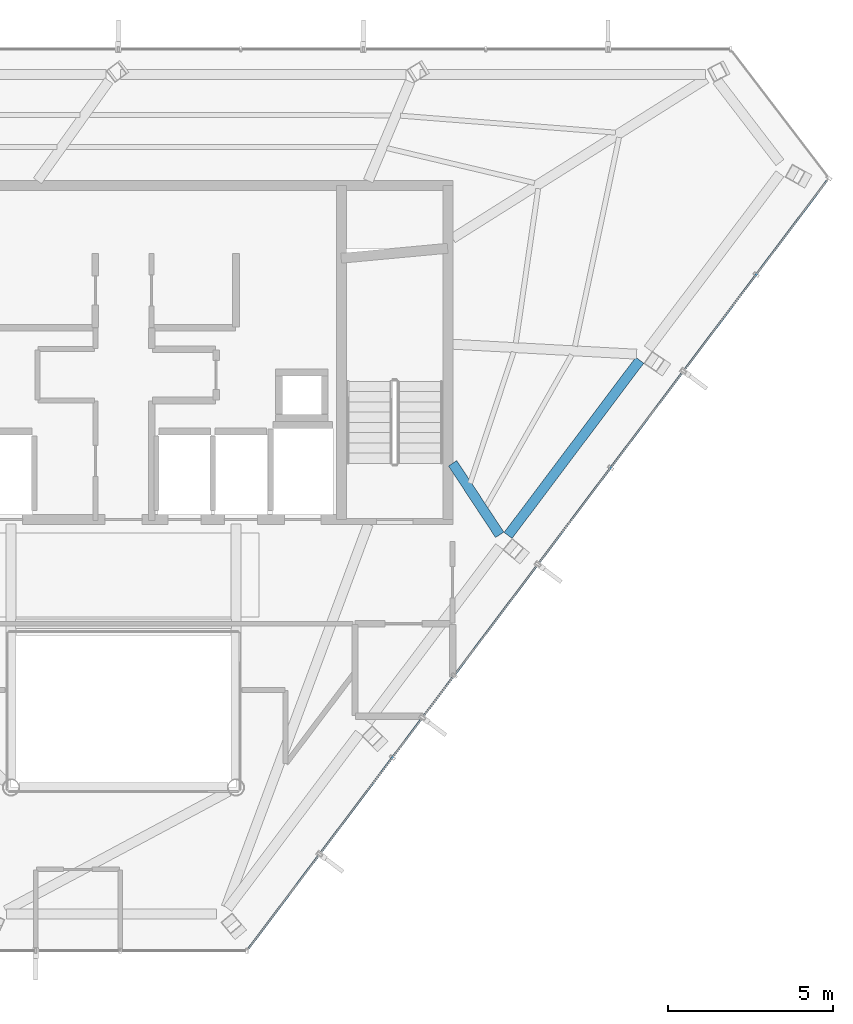
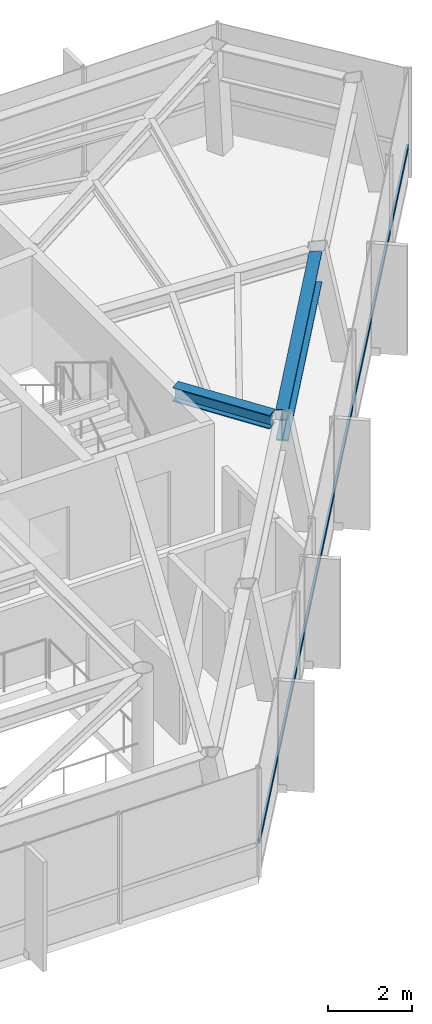
# One storey, part 16 of 22: 2 beams, 1 member, 1 element without a shape of its own.
"""IFC4 building model written with IfcOpenShell, lengths in metres."""

import ifcopenshell
import ifcopenshell.guid

model = None  # the IFC model being written
_history = None  # IfcOwnerHistory: only IFC2X3 demands one
_inside = {}  # id of a spatial element -> (the spatial element, [elements in it])
_under = {}  # id of a project, library or spatial element -> (it, [spatial elements below it])
_declared = {}  # id of a project -> (the project, [libraries it declares])
_typed = {}  # id of a type object -> (the type object, [elements of that type])
_made_of = {}  # id of a material, layer set ... -> (it, [elements and type objects made of it])


def new_model(schema):
    """Start an empty IFC model of exactly this schema.

    Asked for "IFC4X3", IfcOpenShell would pick the latest addendum, in which some entities
    have other attributes; the version numbers below select the first issue.
    IFC2X3 requires an IfcOwnerHistory on every rooted entity: one is made here for all.
    """
    global model, _history
    if schema == "IFC4X3":
        model = ifcopenshell.file(schema_version=(4, 3, 0, 0))
    else:
        model = ifcopenshell.file(schema=schema)
    _inside.clear()
    _under.clear()
    _declared.clear()
    _typed.clear()
    _made_of.clear()
    _history = None
    if model.schema == "IFC2X3":
        org = make("IfcOrganization", Name="unknown")
        user = make(
            "IfcPersonAndOrganization",
            ThePerson=make("IfcPerson", FamilyName="unknown"),
            TheOrganization=org,
        )
        app = make(
            "IfcApplication",
            ApplicationDeveloper=org,
            Version="unknown",
            ApplicationFullName="unknown",
            ApplicationIdentifier="unknown",
        )
        _history = make(
            "IfcOwnerHistory",
            OwningUser=user,
            OwningApplication=app,
            ChangeAction="ADDED",
            CreationDate=0,
        )
    return model


def make(cls, **values):
    """One entity of the class cls with the attributes given. An attribute that is None is left unset."""
    return model.create_entity(
        cls, **{name: value for name, value in values.items() if value is not None}
    )


def rooted(cls, **values):
    """An entity with a GlobalId (a new one), such as an element, a storey or a relation."""
    return make(cls, GlobalId=ifcopenshell.guid.new(), OwnerHistory=_history, **values)


def si_unit(unit_type, name, prefix=None):
    """IfcSIUnit, for example si_unit("LENGTHUNIT", "METRE", prefix="MILLI")."""
    return make("IfcSIUnit", UnitType=unit_type, Prefix=prefix, Name=name)


def assignment(units):
    """IfcUnitAssignment: the units of a project."""
    return None if units is None else make("IfcUnitAssignment", Units=units)


def point(xyz):
    """IfcCartesianPoint."""
    return None if xyz is None else make("IfcCartesianPoint", Coordinates=xyz)


def direction(xyz):
    """IfcDirection."""
    return None if xyz is None else make("IfcDirection", DirectionRatios=xyz)


def frame(location, z_axis=None, x_axis=None):
    """IfcAxis2Placement3D, a coordinate frame: its origin and axes. An axis left out is left unset."""
    return make(
        "IfcAxis2Placement3D",
        Location=point(location),
        Axis=direction(z_axis),
        RefDirection=direction(x_axis),
    )


def frame_2d(location, x_axis=None):
    """IfcAxis2Placement2D, a coordinate frame in the plane: its origin and x axis."""
    return make(
        "IfcAxis2Placement2D", Location=point(location), RefDirection=direction(x_axis)
    )


def origin():
    """The frame at (0, 0, 0) with its axes left unset."""
    return frame((0.0, 0.0, 0.0))


def origin_2d():
    """The frame at (0, 0) in the plane with its x axis left unset."""
    return frame_2d((0.0, 0.0))


def place(relative_to, where):
    """IfcLocalPlacement: puts the frame where relative to a parent placement (None: the world)."""
    return make(
        "IfcLocalPlacement", PlacementRelTo=relative_to, RelativePlacement=where
    )


def context(
    kind, dimensions, precision=None, world=None, true_north=None, identifier=None
):
    """IfcGeometricRepresentationContext, for example the 3D "Model" context."""
    return make(
        "IfcGeometricRepresentationContext",
        ContextIdentifier=identifier,
        ContextType=kind,
        CoordinateSpaceDimension=dimensions,
        Precision=precision,
        WorldCoordinateSystem=world,
        TrueNorth=true_north,
    )


def subcontext(parent, identifier, kind, view, scale=None):
    """IfcGeometricRepresentationSubContext, for example "Body" below "Model"."""
    return make(
        "IfcGeometricRepresentationSubContext",
        ContextIdentifier=identifier,
        ContextType=kind,
        ParentContext=parent,
        TargetScale=scale,
        TargetView=view,
    )


def project(units=None, contexts=None):
    """IfcProject with its units and contexts."""
    return rooted(
        "IfcProject",
        Name="project",
        RepresentationContexts=contexts,
        UnitsInContext=assignment(units),
    )


def spatial(cls, under=None, at=None, **own):
    """A site, building, storey or space (cls), placed at a placement, below another one or the project."""
    s = rooted(cls, ObjectPlacement=at, **own)
    if under is not None:
        _under.setdefault(under.id(), (under, []))[1].append(s)
    return s


def profile(cls, at=None, kind="AREA", **sizes):
    """A parametric profile (cls). Its sizes go by their IFC names, for example OverallWidth=200.0."""
    return make(cls, ProfileType=kind, Position=at, **sizes)


def hollow_rectangle(**sizes):
    """IfcRectangleHollowProfileDef."""
    return profile("IfcRectangleHollowProfileDef", **sizes)


def i_section(**sizes):
    """IfcIShapeProfileDef."""
    return profile("IfcIShapeProfileDef", **sizes)


def extrude(swept, where, along, depth):
    """IfcExtrudedAreaSolid: the profile swept, set in the frame where, extruded along a direction by depth."""
    return make(
        "IfcExtrudedAreaSolid",
        SweptArea=swept,
        Position=where,
        ExtrudedDirection=direction(along),
        Depth=depth,
    )


def shape(context_of_items, identifier, shape_type, items):
    """IfcShapeRepresentation: the items that make up one representation, for example the "Body"."""
    return make(
        "IfcShapeRepresentation",
        ContextOfItems=context_of_items,
        RepresentationIdentifier=identifier,
        RepresentationType=shape_type,
        Items=items,
    )


def material(Name=None, Category=None):
    """IfcMaterial."""
    return make("IfcMaterial", Name=Name, Category=Category)


def layer(
    of_material, thickness, ventilated=None, Name=None, Category=None, Priority=None
):
    """IfcMaterialLayer: one layer of a wall or slab, of a material (None: an air gap)."""
    return make(
        "IfcMaterialLayer",
        Material=of_material,
        LayerThickness=thickness,
        IsVentilated=ventilated,
        Name=Name,
        Category=Category,
        Priority=Priority,
    )


def layer_set(layers, Name=None):
    """IfcMaterialLayerSet."""
    return make("IfcMaterialLayerSet", MaterialLayers=layers, LayerSetName=Name)


def material_profile(
    of_material, cross_section, Name=None, Category=None, Priority=None
):
    """IfcMaterialProfile: a cross section and its material."""
    return make(
        "IfcMaterialProfile",
        Name=Name,
        Material=of_material,
        Profile=cross_section,
        Priority=Priority,
        Category=Category,
    )


def profile_set(profiles, Name=None, composite=None):
    """IfcMaterialProfileSet."""
    return make(
        "IfcMaterialProfileSet",
        Name=Name,
        MaterialProfiles=profiles,
        CompositeProfile=composite,
    )


def made_of(thing, what):
    """Note that an element or type object is made of a material, layer set ...; save() writes the relation."""
    if what is not None:
        _made_of.setdefault(what.id(), (what, []))[1].append(thing)
    return thing


def type_object(cls, material=None, **own):
    """A type object (cls), such as IfcWallType, which elements share."""
    return made_of(rooted(cls, **own), material)


def element(
    cls,
    number,
    at=None,
    inside=None,
    cuts=None,
    type_object=None,
    material=None,
    context=None,
    identifier="Body",
    shape_type=None,
    held_by="IfcProductDefinitionShape",
    body=None,
    shapes=None,
    **own,
):
    """One element of the class cls, such as IfcWall. Its Tag is "e" and its number.

    at: its placement. inside: the storey or other place that contains it. cuts: it is an
    opening in that element (IfcRelVoidsElement). A single representation is given by context,
    identifier, shape_type and body (its items); several are given by shapes. held_by: the class
    of the entity that holds the representations. save() writes the other relations.
    """
    e = rooted(cls, Tag="e%d" % number, ObjectPlacement=at, **own)
    if body is not None:
        shapes = [shape(context, identifier, shape_type, body)]
    if shapes is not None:
        e.Representation = make(held_by, Representations=shapes)
    if inside is not None:
        _inside.setdefault(inside.id(), (inside, []))[1].append(e)
    if cuts is not None:
        rooted(
            "IfcRelVoidsElement", RelatingBuildingElement=cuts, RelatedOpeningElement=e
        )
    if type_object is not None:
        _typed.setdefault(type_object.id(), (type_object, []))[1].append(e)
    return made_of(e, material)


def aggregate(whole, parts):
    """IfcRelAggregates: a whole, such as a stair, and the parts it consists of."""
    return rooted("IfcRelAggregates", RelatingObject=whole, RelatedObjects=parts)


def save(model, path):
    """Write the relations noted so far, then the file.

    IfcRelAggregates (storeys below a building ...), IfcRelContainedInSpatialStructure (elements
    in a storey), IfcRelDefinesByType, IfcRelAssociatesMaterial and IfcRelDeclares: one each for
    every whole, place, type object, material and project.
    """
    for whole, parts in _under.values():
        aggregate(whole, parts)
    for where, things in _inside.values():
        rooted(
            "IfcRelContainedInSpatialStructure",
            RelatedElements=things,
            RelatingStructure=where,
        )
    for kind, things in _typed.values():
        rooted("IfcRelDefinesByType", RelatedObjects=things, RelatingType=kind)
    for what, things in _made_of.values():
        rooted("IfcRelAssociatesMaterial", RelatedObjects=things, RelatingMaterial=what)
    for by, libraries in _declared.values():
        rooted("IfcRelDeclares", RelatingContext=by, RelatedDefinitions=libraries)
    model.write(path)


model = new_model("IFC4")

# Units and contexts
model_context = context("Model", 3, precision=1e-05, world=origin(), true_north=direction((0.0, 1.0)))
body_context = subcontext(model_context, "Body", "Model", "MODEL_VIEW")
ifc_project = project(units=[si_unit("LENGTHUNIT", "METRE"), si_unit("AREAUNIT", "SQUARE_METRE"), si_unit("VOLUMEUNIT", "CUBIC_METRE"), si_unit("PLANEANGLEUNIT", "RADIAN"), si_unit("MASSUNIT", "GRAM", prefix="KILO")], contexts=[model_context])

# Site, building, storey
site_placement = place(None, origin())
site = spatial("IfcSite", under=ifc_project, at=site_placement, CompositionType="ELEMENT")
building_placement = place(site_placement, origin())
building = spatial("IfcBuilding", under=site, at=building_placement, Name="Zarrinselat Tower", CompositionType="ELEMENT")
storey_placement = place(building_placement, frame((0.0, 0.0, 295.800048828125)))
storey = spatial("IfcBuildingStorey", under=building, at=storey_placement, Name="L76", CompositionType="ELEMENT", Elevation=295.800048828125)

# Beams
ifc_material_1 = material(Name="Steel S355J2", Category="steel")
ifc_material_profile_1 = material_profile(ifc_material_1, i_section(OverallWidth=0.300048828125, OverallDepth=0.39990234375, WebThickness=0.013427734375, FlangeThickness=0.02392578125, at=origin_2d()), Name="HEB 400")
ifc_profile_set_1 = profile_set([ifc_material_profile_1], Name="Steel S355J2")
beam_type_1 = type_object("IfcBeamType", Name="BM-HEB400", PredefinedType="BEAM", material=ifc_profile_set_1)
beam_1_placement = place(storey_placement, frame((48.35009765625, 35.0, 2.97998046875), z_axis=(0.549968105202, -0.835185657959, 0.0), x_axis=(0.835185657959, 0.549968105202, 0.0)))
element("IfcBeam", 1, at=beam_1_placement, inside=storey, type_object=beam_type_1, Name="L76 Radial Primary Girder RG13", PredefinedType="BEAM", context=body_context, shape_type="SweptSolid", body=[
    extrude(i_section(OverallWidth=0.300048828125, OverallDepth=0.39990234375, WebThickness=0.013427734375, FlangeThickness=0.02392578125, at=origin_2d()), origin(), (0.0, 0.0, 1.0), 2.58837890625),
])
ifc_material_2 = material(Name="Steel S460M", Category="steel")
ifc_material_profile_2 = material_profile(ifc_material_2, i_section(OverallWidth=0.302001953125, OverallDepth=0.909912109375, WebThickness=0.02099609375, FlangeThickness=0.0400390625, at=origin_2d()), Name="HEM 900")
ifc_profile_set_2 = profile_set([ifc_material_profile_2], Name="Steel S460M")
beam_type_2 = type_object("IfcBeamType", Name="BM-HEM900", PredefinedType="BEAM", material=ifc_profile_set_2)
beam_2_placement = place(storey_placement, frame((50.026611328125, 32.81884765625, 2.724853515625), z_axis=(0.600872084865, 0.799345193036, 0.0), x_axis=(-0.799345193036, 0.600872084865, 0.0)))
element("IfcBeam", 2, at=beam_2_placement, inside=storey, type_object=beam_type_2, Name="L76 Perimeter Spandrel Girder SP13", PredefinedType="BEAM", context=body_context, shape_type="SweptSolid", body=[
    extrude(i_section(OverallWidth=0.302001953125, OverallDepth=0.909912109375, WebThickness=0.02099609375, FlangeThickness=0.0400390625, at=origin_2d()), origin(), (0.0, 0.0, 1.0), 6.62646484375),
])

# Curtain wall, member
ifc_material_3 = material(Name="Extruded Aluminium Alloy EN AW-6063 T6", Category="aluminium")
ifc_layer = layer(ifc_material_3, 0.199951171875)
ifc_layer_set = layer_set([ifc_layer], Name="Extruded Aluminium Alloy EN AW-6063 T6")
curtain_wall_type = type_object("IfcCurtainWallType", Name="CWS-BLADE", PredefinedType="NOTDEFINED", material=ifc_layer_set)
curtain_wall_placement = place(storey_placement, origin())
curtain_wall = element("IfcCurtainWall", 3, at=curtain_wall_placement, inside=storey, type_object=curtain_wall_type, Name="L76 Unitised Curtain Wall CW-L76-E05", PredefinedType="NOTDEFINED")
ifc_material_4 = material(Name="Extruded Aluminium Alloy EN AW-6063 T6", Category="aluminium")
ifc_material_profile_3 = material_profile(ifc_material_4, hollow_rectangle(XDim=0.06005859375, YDim=0.139892578125, WallThickness=0.00390625, at=origin_2d()), Name="RHS 140x60x4")
ifc_profile_set_3 = profile_set([ifc_material_profile_3], Name="Extruded Aluminium Alloy EN AW-6063 T6")
member_type = type_object("IfcMemberType", Name="MEM-CW-TRN", PredefinedType="USERDEFINED", material=ifc_profile_set_3)
member_placement = place(storey_placement, frame((42.18408203125, 20.336181640625, 0.949951171875), z_axis=(0.601670426003, 0.798744451294, 0.0), x_axis=(-0.798744451294, 0.601670426003, 0.0)))
member = element("IfcMember", 4, at=member_placement, type_object=member_type, Name="CW-L76-E05 Transom 1", ObjectType="TRANSOM", PredefinedType="USERDEFINED", context=body_context, shape_type="SweptSolid", body=[
    extrude(hollow_rectangle(XDim=0.06005859375, YDim=0.139892578125, WallThickness=0.00390625, at=origin_2d()), origin(), (0.0, 0.0, 1.0), 29.06787109375),
])
aggregate(curtain_wall, [member])

save(model, "model.ifc")
